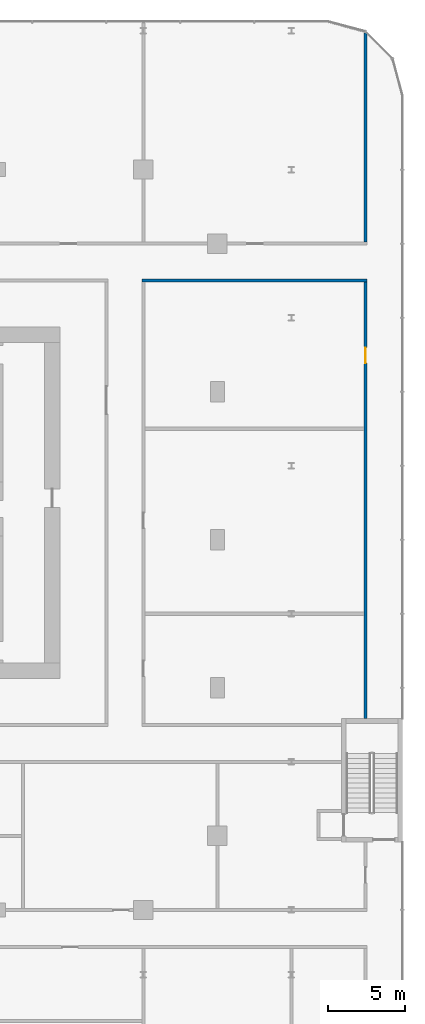
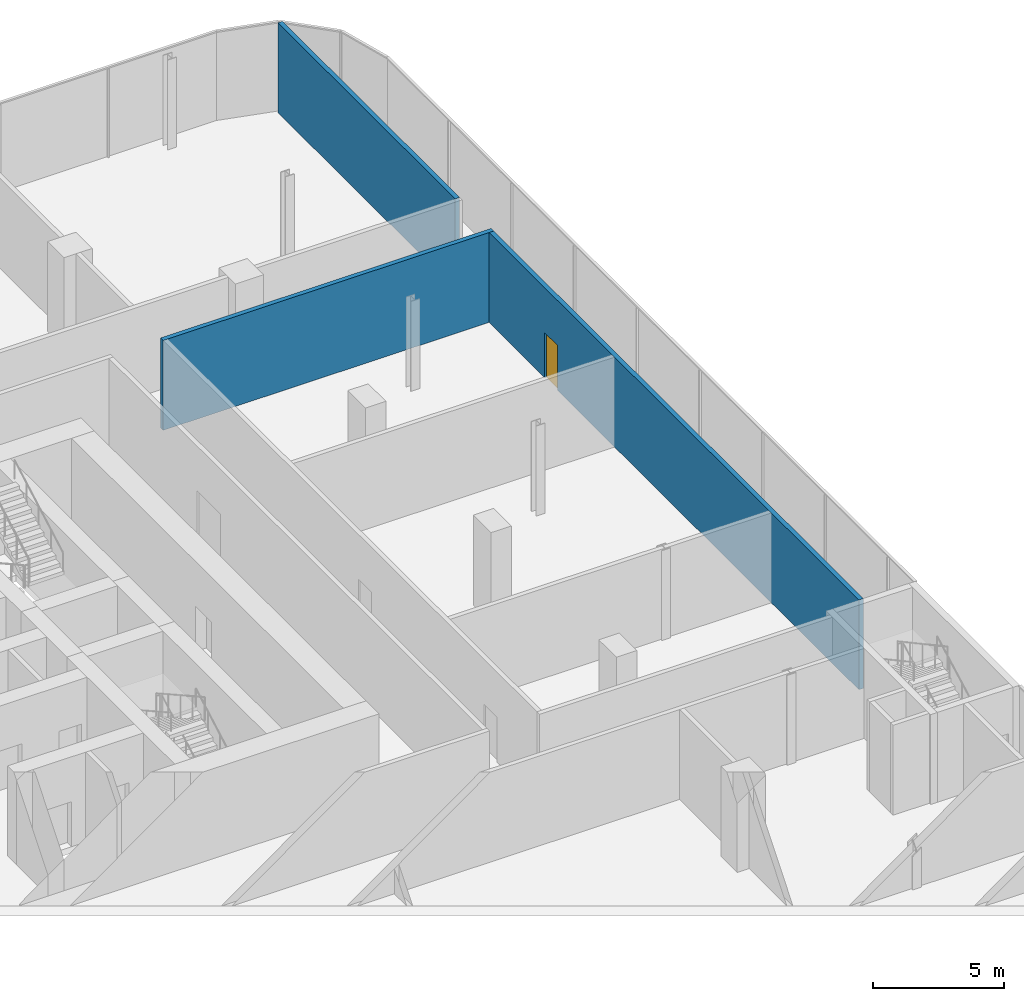
# One storey, part 35 of 43: 3 walls, 1 door, 1 opening.
"""IFC4 building model written with IfcOpenShell, lengths in metres."""

from ifc_helpers import new_model, si_unit, direction, frame, frame_2d, origin, place, context, subcontext, project, spatial, rectangle, extrude, material, layer, layer_set, type_object, element, fill, save


model = new_model("IFC4")

# Units and contexts
model_context = context("Model", 3, precision=1e-05, world=origin(), true_north=direction((0.0, 1.0)))
body_context = subcontext(model_context, "Body", "Model", "MODEL_VIEW")
ifc_project = project(units=[si_unit("LENGTHUNIT", "METRE"), si_unit("AREAUNIT", "SQUARE_METRE"), si_unit("VOLUMEUNIT", "CUBIC_METRE"), si_unit("PLANEANGLEUNIT", "RADIAN"), si_unit("MASSUNIT", "GRAM", prefix="KILO")], contexts=[model_context])

# Site, building, storey
site_placement = place(None, origin())
site = spatial("IfcSite", under=ifc_project, at=site_placement, CompositionType="ELEMENT")
building_placement = place(site_placement, origin())
building = spatial("IfcBuilding", under=site, at=building_placement, Name="Madar Terraces", CompositionType="ELEMENT")
storey_placement = place(building_placement, frame((0.0, 0.0, 10.5)))
storey = spatial("IfcBuildingStorey", under=building, at=storey_placement, Name="L02", CompositionType="ELEMENT", Elevation=10.5)

# Wall
ifc_material_1 = material(Name="Gypsum board partition, fire-rated")
ifc_layer = layer(ifc_material_1, 0.199951171875)
ifc_layer_set = layer_set([ifc_layer], Name="Partition 200 EI 60")
wall_type = type_object("IfcWallType", Name="Partition 200 EI 60", PredefinedType="PARTITIONING", material=ifc_layer_set)
wall_1_placement = place(storey_placement, frame((52.699951171875, 40.800048828125, 0.0), z_axis=(0.0, 0.0, 1.0), x_axis=(1.0, 0.0, 0.0)))
element("IfcWall", 1, at=wall_1_placement, inside=storey, type_object=wall_type, Name="Wall CLEANERS STORE / PODIUM CORRIDOR", PredefinedType="PARTITIONING", context=body_context, shape_type="SweptSolid", body=[
    extrude(rectangle(XDim=14.60009765625, YDim=0.199951171875, at=frame_2d((7.300048828125, 0.0))), origin(), (0.0, 0.0, 1.0), 4.199951171875),
])

# Wall, opening, door
wall_2_placement = place(storey_placement, frame((67.199951171875, 12.39990234375, 0.0), z_axis=(0.0, 0.0, 1.0), x_axis=(0.0, 1.0, 0.0)))
wall_2 = element("IfcWall", 2, at=wall_2_placement, inside=storey, type_object=wall_type, Name="Wall CLEANERS STORE + OFFICE", PredefinedType="PARTITIONING", context=body_context, shape_type="SweptSolid", body=[
    extrude(rectangle(XDim=28.300048828125, YDim=0.199951171875, at=frame_2d((14.14990234375, 0.0))), origin(), (0.0, 0.0, 1.0), 4.199951171875),
])
opening_placement = place(wall_2_placement, frame((23.050048828125, 0.0, 0.0)))
opening = element("IfcOpeningElement", 3, at=opening_placement, cuts=wall_2, Name="Opening D31", PredefinedType="OPENING", context=body_context, shape_type="SweptSolid", body=[
    extrude(rectangle(XDim=1.0, YDim=2.10009765625, at=frame_2d((0.5, 1.050048828125))), frame((0.0, 0.10986328125, 0.0), z_axis=(0.0, -1.0, 0.0), x_axis=(1.0, 0.0, 0.0)), (0.0, 0.0, 1.0), 0.219970703125),
])
ifc_material_2 = material(Name="Timber door leaf, fire-rated", Category="wood")
door_type = type_object("IfcDoorType", Name="Podium door 1000 x 2100 FD30S", OperationType="NOTDEFINED", PredefinedType="DOOR", material=ifc_material_2)
door_placement = place(opening_placement, origin())
door = element("IfcDoor", 4, at=door_placement, inside=storey, type_object=door_type, Name="Door CLEANERS STORE / PODIUM CORRIDOR", OperationType="SINGLE_SWING_RIGHT", OverallHeight=2.10009765625, OverallWidth=1.0, PredefinedType="DOOR", context=body_context, shape_type="SweptSolid", body=[
    extrude(rectangle(XDim=1.0, YDim=2.10009765625, at=frame_2d((0.5, 1.050048828125))), frame((0.0, 0.02490234375, 0.0), z_axis=(0.0, -1.0, 0.0), x_axis=(1.0, 0.0, 0.0)), (0.0, 0.0, 1.0), 0.050048828125),
])
fill(opening, door)

# Wall
wall_3_placement = place(storey_placement, frame((67.199951171875, 43.300048828125, 0.0), z_axis=(0.0, 0.0, 1.0), x_axis=(0.0, 1.0, 0.0)))
element("IfcWall", 5, at=wall_3_placement, inside=storey, type_object=wall_type, Name="Wall LINEN STORE / PODIUM CORRIDOR", PredefinedType="PARTITIONING", context=body_context, shape_type="SweptSolid", body=[
    extrude(rectangle(XDim=13.56005859375, YDim=0.199951171875, at=frame_2d((6.780029296875, 0.0))), origin(), (0.0, 0.0, 1.0), 4.199951171875),
])

save(model, "model.ifc")
